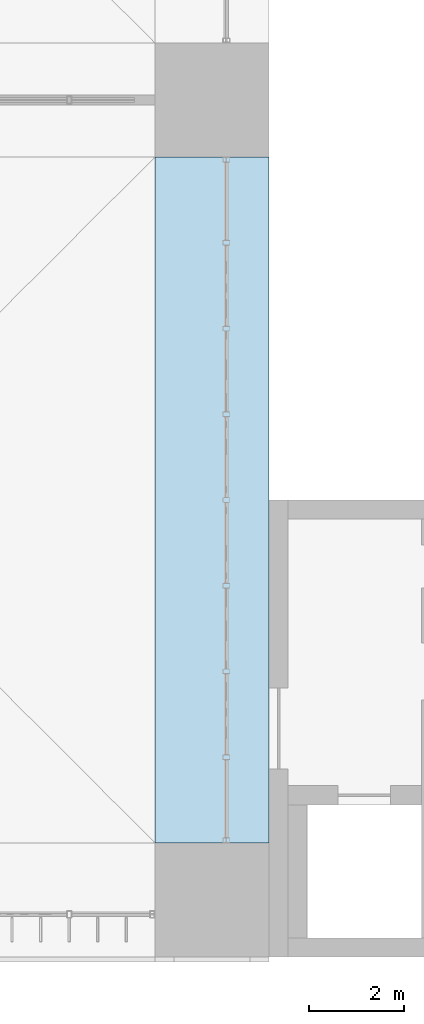
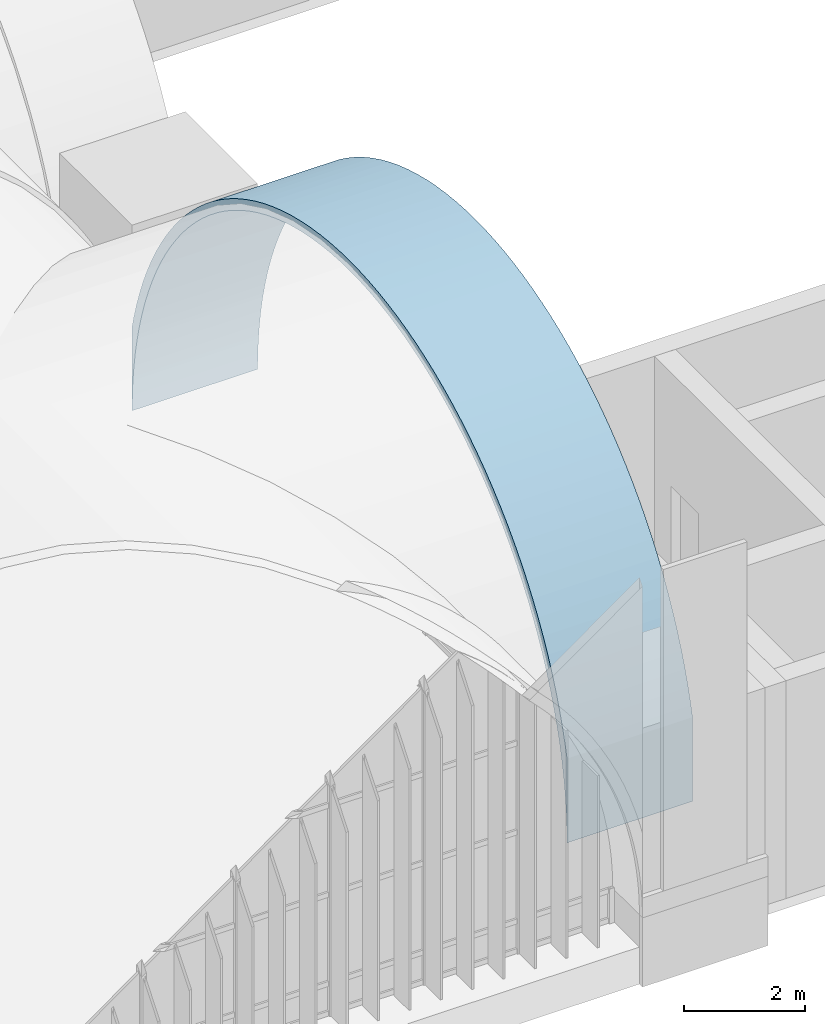
# One storey, part 143 of 169: 1 roof.
"""IFC4 building model written with IfcOpenShell, lengths in metres."""

from ifc_helpers import new_model, si_unit, direction, frame, origin, place, context, subcontext, project, spatial, polygons, material, layer, layer_set, type_object, element, save


model = new_model("IFC4")

# Units and contexts
model_context = context("Model", 3, precision=1e-05, world=origin(), true_north=direction((0.0, 1.0)))
body_context = subcontext(model_context, "Body", "Model", "MODEL_VIEW")
ifc_project = project(units=[si_unit("LENGTHUNIT", "METRE"), si_unit("AREAUNIT", "SQUARE_METRE"), si_unit("VOLUMEUNIT", "CUBIC_METRE"), si_unit("PLANEANGLEUNIT", "RADIAN"), si_unit("MASSUNIT", "GRAM", prefix="KILO")], contexts=[model_context])

# Site, building, storey
site_placement = place(None, origin())
site = spatial("IfcSite", under=ifc_project, at=site_placement, CompositionType="ELEMENT")
building_placement = place(site_placement, origin())
building = spatial("IfcBuilding", under=site, at=building_placement, Name="Verrick Yard Athletic Hall", CompositionType="ELEMENT")
storey_placement = place(building_placement, frame((0.0, 0.0, 4.39990234375)))
storey = spatial("IfcBuildingStorey", under=building, at=storey_placement, Name="L01", CompositionType="ELEMENT", Elevation=4.39990234375)

# Roof
ifc_material = material(Name="Concrete 35 MPa", Category="concrete")
ifc_layer = layer(ifc_material, 0.199951171875)
ifc_layer_set = layer_set([ifc_layer], Name="Arch rib 200")
roof_type = type_object("IfcRoofType", Name="Arch rib 200", PredefinedType="BARREL_ROOF", material=ifc_layer_set)
roof_placement = place(storey_placement, origin())
element("IfcRoof", 1, at=roof_placement, inside=storey, type_object=roof_type, Name="Vault rib X8-1", PredefinedType="BARREL_ROOF", context=body_context, shape_type="Tessellation", body=[
    polygons([(158.800048828125, 20.39990234375, 2.352294921875), (158.800048828125, 20.39990234375, 0.650146484375), (158.800048828125, 20.406982421875, 0.964111328125), (158.800048828125, 20.427490234375, 1.277587890625), (158.800048828125, 20.461669921875, 1.58984375), (158.800048828125, 20.509521484375, 1.900390625), (158.800048828125, 20.57080078125, 2.20849609375), (158.800048828125, 20.645263671875, 2.513671875), (158.800048828125, 20.733154296875, 2.815185546875), (158.800048828125, 20.834228515625, 3.112548828125), (158.800048828125, 20.947998046875, 3.405517578125), (158.800048828125, 21.07470703125, 3.693115234375), (158.800048828125, 21.21337890625, 3.974609375), (158.800048828125, 21.364501953125, 4.25), (158.800048828125, 21.527587890625, 4.518798828125), (158.800048828125, 21.7021484375, 4.77978515625), (158.800048828125, 21.887939453125, 5.033203125), (158.800048828125, 22.08447265625, 5.278076171875), (158.800048828125, 22.29150390625, 5.514404296875), (158.800048828125, 22.5087890625, 5.7412109375), (158.800048828125, 22.73583984375, 5.95849609375), (158.800048828125, 22.971923828125, 6.16552734375), (158.800048828125, 23.216796875, 6.3623046875), (158.800048828125, 23.47021484375, 6.548095703125), (158.800048828125, 23.7314453125, 6.722412109375), (158.800048828125, 24.0, 6.885498046875), (158.800048828125, 24.275390625, 7.03662109375), (158.800048828125, 24.55712890625, 7.175537109375), (158.800048828125, 24.8447265625, 7.302001953125), (158.800048828125, 25.137451171875, 7.416015625), (158.800048828125, 25.434814453125, 7.516845703125), (158.800048828125, 25.736572265625, 7.604736328125), (158.800048828125, 26.04150390625, 7.679443359375), (158.800048828125, 26.349609375, 7.74072265625), (158.800048828125, 26.66015625, 7.78857421875), (158.800048828125, 26.972412109375, 7.82275390625), (158.800048828125, 27.285888671875, 7.84326171875), (158.800048828125, 27.60009765625, 7.85009765625), (158.800048828125, 27.9140625, 7.84326171875), (158.800048828125, 28.2275390625, 7.82275390625), (158.800048828125, 28.539794921875, 7.78857421875), (158.800048828125, 28.850341796875, 7.74072265625), (158.800048828125, 29.158447265625, 7.679443359375), (158.800048828125, 29.46337890625, 7.604736328125), (158.800048828125, 29.76513671875, 7.516845703125), (158.800048828125, 30.0625, 7.416015625), (158.800048828125, 30.355224609375, 7.302001953125), (158.800048828125, 30.642822265625, 7.175537109375), (158.800048828125, 30.924560546875, 7.03662109375), (158.800048828125, 31.199951171875, 6.885498046875), (158.800048828125, 31.468505859375, 6.722412109375), (158.800048828125, 31.729736328125, 6.548095703125), (158.800048828125, 31.983154296875, 6.3623046875), (158.800048828125, 32.22802734375, 6.16552734375), (158.800048828125, 32.464111328125, 5.95849609375), (158.800048828125, 32.691162109375, 5.7412109375), (158.800048828125, 32.908447265625, 5.514404296875), (158.800048828125, 33.115478515625, 5.278076171875), (158.800048828125, 33.31201171875, 5.033203125), (158.800048828125, 33.497802734375, 4.77978515625), (158.800048828125, 33.67236328125, 4.518798828125), (158.800048828125, 33.83544921875, 4.25), (158.800048828125, 33.986572265625, 3.974609375), (158.800048828125, 34.12548828125, 3.693115234375), (158.800048828125, 34.251953125, 3.405517578125), (158.800048828125, 34.36572265625, 3.112548828125), (158.800048828125, 34.466796875, 2.815185546875), (158.800048828125, 34.5546875, 2.513671875), (158.800048828125, 34.62939453125, 2.20849609375), (158.800048828125, 34.690673828125, 1.900390625), (158.800048828125, 34.73828125, 1.58984375), (158.800048828125, 34.772705078125, 1.277587890625), (158.800048828125, 34.793212890625, 0.964111328125), (158.800048828125, 34.800048828125, 0.650146484375), (158.800048828125, 34.800048828125, 2.352294921875), (158.800048828125, 34.747802734375, 2.5654296875), (158.800048828125, 34.657470703125, 2.875244140625), (158.800048828125, 34.5537109375, 3.180908203125), (158.800048828125, 34.436767578125, 3.48193359375), (158.800048828125, 34.306640625, 3.777587890625), (158.800048828125, 34.163818359375, 4.06689453125), (158.800048828125, 34.008544921875, 4.35009765625), (158.800048828125, 33.841064453125, 4.6259765625), (158.800048828125, 33.66162109375, 4.89453125), (158.800048828125, 33.470703125, 5.15478515625), (158.800048828125, 33.268798828125, 5.40673828125), (158.800048828125, 33.055908203125, 5.6494140625), (158.800048828125, 32.83251953125, 5.8828125), (158.800048828125, 32.599365234375, 6.10595703125), (158.800048828125, 32.356689453125, 6.31884765625), (158.800048828125, 32.104736328125, 6.52099609375), (158.800048828125, 31.844482421875, 6.7119140625), (158.800048828125, 31.575927734375, 6.89111328125), (158.800048828125, 31.300048828125, 7.05859375), (158.800048828125, 31.016845703125, 7.214111328125), (158.800048828125, 30.727294921875, 7.356689453125), (158.800048828125, 30.431884765625, 7.48681640625), (158.800048828125, 30.130859375, 7.603759765625), (158.800048828125, 29.8251953125, 7.70751953125), (158.800048828125, 29.515380859375, 7.798095703125), (158.800048828125, 29.20166015625, 7.874755859375), (158.800048828125, 28.885009765625, 7.937744140625), (158.800048828125, 28.56591796875, 7.98681640625), (158.800048828125, 28.2451171875, 8.02197265625), (158.800048828125, 27.9228515625, 8.043212890625), (158.800048828125, 27.60009765625, 8.050048828125), (158.800048828125, 27.277099609375, 8.043212890625), (158.800048828125, 26.955078125, 8.02197265625), (158.800048828125, 26.634033203125, 7.98681640625), (158.800048828125, 26.31494140625, 7.937744140625), (158.800048828125, 25.998291015625, 7.874755859375), (158.800048828125, 25.684814453125, 7.798095703125), (158.800048828125, 25.374755859375, 7.70751953125), (158.800048828125, 25.069091796875, 7.603759765625), (158.800048828125, 24.76806640625, 7.48681640625), (158.800048828125, 24.47265625, 7.356689453125), (158.800048828125, 24.18310546875, 7.214111328125), (158.800048828125, 23.89990234375, 7.05859375), (158.800048828125, 23.6240234375, 6.89111328125), (158.800048828125, 23.35546875, 6.7119140625), (158.800048828125, 23.09521484375, 6.52099609375), (158.800048828125, 22.843505859375, 6.31884765625), (158.800048828125, 22.6005859375, 6.10595703125), (158.800048828125, 22.367431640625, 5.8828125), (158.800048828125, 22.14404296875, 5.6494140625), (158.800048828125, 21.931396484375, 5.40673828125), (158.800048828125, 21.729248046875, 5.15478515625), (158.800048828125, 21.538330078125, 4.89453125), (158.800048828125, 21.35888671875, 4.6259765625), (158.800048828125, 21.19140625, 4.35009765625), (158.800048828125, 21.0361328125, 4.06689453125), (158.800048828125, 20.893310546875, 3.777587890625), (158.800048828125, 20.76318359375, 3.48193359375), (158.800048828125, 20.646240234375, 3.180908203125), (158.800048828125, 20.54248046875, 2.875244140625), (158.800048828125, 20.4521484375, 2.5654296875), (156.39990234375, 20.39990234375, 2.352294921875), (156.39990234375, 20.39990234375, 0.650146484375), (156.39990234375, 20.406982421875, 0.964111328125), (156.39990234375, 20.427490234375, 1.277587890625), (156.39990234375, 20.461669921875, 1.58984375), (156.39990234375, 20.509521484375, 1.900390625), (156.39990234375, 20.57080078125, 2.20849609375), (156.39990234375, 20.645263671875, 2.513671875), (156.39990234375, 20.733154296875, 2.815185546875), (156.39990234375, 20.834228515625, 3.112548828125), (156.39990234375, 20.947998046875, 3.405517578125), (156.39990234375, 21.07470703125, 3.693115234375), (156.39990234375, 21.21337890625, 3.974609375), (156.39990234375, 21.364501953125, 4.25), (156.39990234375, 21.527587890625, 4.518798828125), (156.39990234375, 21.7021484375, 4.77978515625), (156.39990234375, 21.887939453125, 5.033203125), (156.39990234375, 22.08447265625, 5.278076171875), (156.39990234375, 22.29150390625, 5.514404296875), (156.39990234375, 22.5087890625, 5.7412109375), (156.39990234375, 22.73583984375, 5.95849609375), (156.39990234375, 22.971923828125, 6.16552734375), (156.39990234375, 23.216796875, 6.3623046875), (156.39990234375, 23.47021484375, 6.548095703125), (156.39990234375, 23.7314453125, 6.722412109375), (156.39990234375, 24.0, 6.885498046875), (156.39990234375, 24.275390625, 7.03662109375), (156.39990234375, 24.55712890625, 7.175537109375), (156.39990234375, 24.8447265625, 7.302001953125), (156.39990234375, 25.137451171875, 7.416015625), (156.39990234375, 25.434814453125, 7.516845703125), (156.39990234375, 25.736572265625, 7.604736328125), (156.39990234375, 26.04150390625, 7.679443359375), (156.39990234375, 26.349609375, 7.74072265625), (156.39990234375, 26.66015625, 7.78857421875), (156.39990234375, 26.972412109375, 7.82275390625), (156.39990234375, 27.285888671875, 7.84326171875), (156.39990234375, 27.60009765625, 7.85009765625), (156.39990234375, 27.9140625, 7.84326171875), (156.39990234375, 28.2275390625, 7.82275390625), (156.39990234375, 28.539794921875, 7.78857421875), (156.39990234375, 28.850341796875, 7.74072265625), (156.39990234375, 29.158447265625, 7.679443359375), (156.39990234375, 29.46337890625, 7.604736328125), (156.39990234375, 29.76513671875, 7.516845703125), (156.39990234375, 30.0625, 7.416015625), (156.39990234375, 30.355224609375, 7.302001953125), (156.39990234375, 30.642822265625, 7.175537109375), (156.39990234375, 30.924560546875, 7.03662109375), (156.39990234375, 31.199951171875, 6.885498046875), (156.39990234375, 31.468505859375, 6.722412109375), (156.39990234375, 31.729736328125, 6.548095703125), (156.39990234375, 31.983154296875, 6.3623046875), (156.39990234375, 32.22802734375, 6.16552734375), (156.39990234375, 32.464111328125, 5.95849609375), (156.39990234375, 32.691162109375, 5.7412109375), (156.39990234375, 32.908447265625, 5.514404296875), (156.39990234375, 33.115478515625, 5.278076171875), (156.39990234375, 33.31201171875, 5.033203125), (156.39990234375, 33.497802734375, 4.77978515625), (156.39990234375, 33.67236328125, 4.518798828125), (156.39990234375, 33.83544921875, 4.25), (156.39990234375, 33.986572265625, 3.974609375), (156.39990234375, 34.12548828125, 3.693115234375), (156.39990234375, 34.251953125, 3.405517578125), (156.39990234375, 34.36572265625, 3.112548828125), (156.39990234375, 34.466796875, 2.815185546875), (156.39990234375, 34.5546875, 2.513671875), (156.39990234375, 34.62939453125, 2.20849609375), (156.39990234375, 34.690673828125, 1.900390625), (156.39990234375, 34.73828125, 1.58984375), (156.39990234375, 34.772705078125, 1.277587890625), (156.39990234375, 34.793212890625, 0.964111328125), (156.39990234375, 34.800048828125, 0.650146484375), (156.39990234375, 34.800048828125, 2.352294921875), (156.39990234375, 34.747802734375, 2.5654296875), (156.39990234375, 34.657470703125, 2.875244140625), (156.39990234375, 34.5537109375, 3.180908203125), (156.39990234375, 34.436767578125, 3.48193359375), (156.39990234375, 34.306640625, 3.777587890625), (156.39990234375, 34.163818359375, 4.06689453125), (156.39990234375, 34.008544921875, 4.35009765625), (156.39990234375, 33.841064453125, 4.6259765625), (156.39990234375, 33.66162109375, 4.89453125), (156.39990234375, 33.470703125, 5.15478515625), (156.39990234375, 33.268798828125, 5.40673828125), (156.39990234375, 33.055908203125, 5.6494140625), (156.39990234375, 32.83251953125, 5.8828125), (156.39990234375, 32.599365234375, 6.10595703125), (156.39990234375, 32.356689453125, 6.31884765625), (156.39990234375, 32.104736328125, 6.52099609375), (156.39990234375, 31.844482421875, 6.7119140625), (156.39990234375, 31.575927734375, 6.89111328125), (156.39990234375, 31.300048828125, 7.05859375), (156.39990234375, 31.016845703125, 7.214111328125), (156.39990234375, 30.727294921875, 7.356689453125), (156.39990234375, 30.431884765625, 7.48681640625), (156.39990234375, 30.130859375, 7.603759765625), (156.39990234375, 29.8251953125, 7.70751953125), (156.39990234375, 29.515380859375, 7.798095703125), (156.39990234375, 29.20166015625, 7.874755859375), (156.39990234375, 28.885009765625, 7.937744140625), (156.39990234375, 28.56591796875, 7.98681640625), (156.39990234375, 28.2451171875, 8.02197265625), (156.39990234375, 27.9228515625, 8.043212890625), (156.39990234375, 27.60009765625, 8.050048828125), (156.39990234375, 27.277099609375, 8.043212890625), (156.39990234375, 26.955078125, 8.02197265625), (156.39990234375, 26.634033203125, 7.98681640625), (156.39990234375, 26.31494140625, 7.937744140625), (156.39990234375, 25.998291015625, 7.874755859375), (156.39990234375, 25.684814453125, 7.798095703125), (156.39990234375, 25.374755859375, 7.70751953125), (156.39990234375, 25.069091796875, 7.603759765625), (156.39990234375, 24.76806640625, 7.48681640625), (156.39990234375, 24.47265625, 7.356689453125), (156.39990234375, 24.18310546875, 7.214111328125), (156.39990234375, 23.89990234375, 7.05859375), (156.39990234375, 23.6240234375, 6.89111328125), (156.39990234375, 23.35546875, 6.7119140625), (156.39990234375, 23.09521484375, 6.52099609375), (156.39990234375, 22.843505859375, 6.31884765625), (156.39990234375, 22.6005859375, 6.10595703125), (156.39990234375, 22.367431640625, 5.8828125), (156.39990234375, 22.14404296875, 5.6494140625), (156.39990234375, 21.931396484375, 5.40673828125), (156.39990234375, 21.729248046875, 5.15478515625), (156.39990234375, 21.538330078125, 4.89453125), (156.39990234375, 21.35888671875, 4.6259765625), (156.39990234375, 21.19140625, 4.35009765625), (156.39990234375, 21.0361328125, 4.06689453125), (156.39990234375, 20.893310546875, 3.777587890625), (156.39990234375, 20.76318359375, 3.48193359375), (156.39990234375, 20.646240234375, 3.180908203125), (156.39990234375, 20.54248046875, 2.875244140625), (156.39990234375, 20.4521484375, 2.5654296875)], [[[1, 2, 3]], [[137, 139, 138]], [[136, 1, 3]], [[272, 139, 137]], [[136, 3, 4]], [[272, 140, 139]], [[136, 4, 5]], [[272, 141, 140]], [[136, 5, 6]], [[272, 142, 141]], [[136, 6, 7]], [[272, 143, 142]], [[136, 7, 8]], [[272, 144, 143]], [[136, 8, 9]], [[272, 145, 144]], [[136, 9, 10]], [[272, 146, 145]], [[136, 10, 11]], [[272, 147, 146]], [[136, 11, 12]], [[272, 148, 147]], [[136, 12, 13]], [[272, 149, 148]], [[73, 74, 75]], [[209, 211, 210]], [[72, 73, 75]], [[208, 211, 209]], [[71, 72, 75]], [[207, 211, 208]], [[70, 71, 75]], [[206, 211, 207]], [[69, 70, 75]], [[205, 211, 206]], [[68, 69, 75]], [[204, 211, 205]], [[67, 68, 75]], [[203, 211, 204]], [[66, 67, 75]], [[202, 211, 203]], [[65, 66, 75]], [[201, 211, 202]], [[64, 65, 75]], [[200, 211, 201]], [[63, 64, 75]], [[199, 211, 200]], [[63, 75, 76]], [[199, 212, 211]], [[63, 76, 77]], [[199, 213, 212]], [[62, 63, 77]], [[198, 213, 199]], [[62, 77, 78]], [[198, 214, 213]], [[61, 62, 78]], [[197, 214, 198]], [[61, 78, 79]], [[197, 215, 214]], [[60, 61, 79]], [[196, 215, 197]], [[60, 79, 80]], [[196, 216, 215]], [[59, 60, 80]], [[195, 216, 196]], [[59, 80, 81]], [[195, 217, 216]], [[58, 59, 81]], [[194, 217, 195]], [[58, 81, 82]], [[194, 218, 217]], [[57, 58, 82]], [[193, 218, 194]], [[57, 82, 83]], [[193, 219, 218]], [[56, 57, 83]], [[192, 219, 193]], [[56, 83, 84]], [[192, 220, 219]], [[55, 56, 84]], [[191, 220, 192]], [[55, 84, 85]], [[191, 221, 220]], [[54, 55, 85]], [[190, 221, 191]], [[54, 85, 86]], [[190, 222, 221]], [[53, 54, 86]], [[189, 222, 190]], [[53, 86, 87]], [[189, 223, 222]], [[52, 53, 87]], [[188, 223, 189]], [[52, 87, 88]], [[188, 224, 223]], [[51, 52, 88]], [[187, 224, 188]], [[51, 88, 89]], [[187, 225, 224]], [[50, 51, 89]], [[186, 225, 187]], [[50, 89, 90]], [[186, 226, 225]], [[49, 50, 90]], [[185, 226, 186]], [[49, 90, 91]], [[185, 227, 226]], [[48, 49, 91]], [[184, 227, 185]], [[48, 91, 92]], [[184, 228, 227]], [[47, 48, 92]], [[183, 228, 184]], [[47, 92, 93]], [[183, 229, 228]], [[46, 47, 93]], [[182, 229, 183]], [[46, 93, 94]], [[182, 230, 229]], [[45, 46, 94]], [[181, 230, 182]], [[45, 94, 95]], [[181, 231, 230]], [[44, 45, 95]], [[180, 231, 181]], [[44, 95, 96]], [[180, 232, 231]], [[43, 44, 96]], [[179, 232, 180]], [[43, 96, 97]], [[179, 233, 232]], [[42, 43, 97]], [[178, 233, 179]], [[42, 97, 98]], [[178, 234, 233]], [[41, 42, 98]], [[177, 234, 178]], [[41, 98, 99]], [[177, 235, 234]], [[40, 41, 99]], [[176, 235, 177]], [[40, 99, 100]], [[176, 236, 235]], [[39, 40, 100]], [[175, 236, 176]], [[39, 100, 101]], [[175, 237, 236]], [[38, 39, 101]], [[174, 237, 175]], [[38, 101, 102]], [[174, 238, 237]], [[37, 38, 102]], [[173, 238, 174]], [[37, 102, 103]], [[173, 239, 238]], [[36, 37, 103]], [[172, 239, 173]], [[36, 103, 104]], [[172, 240, 239]], [[35, 36, 104]], [[171, 240, 172]], [[35, 104, 105]], [[171, 241, 240]], [[34, 35, 105]], [[170, 241, 171]], [[34, 105, 106]], [[170, 242, 241]], [[33, 34, 106]], [[169, 242, 170]], [[33, 106, 107]], [[169, 243, 242]], [[32, 33, 107]], [[168, 243, 169]], [[32, 107, 108]], [[168, 244, 243]], [[31, 32, 108]], [[167, 244, 168]], [[31, 108, 109]], [[167, 245, 244]], [[30, 31, 109]], [[166, 245, 167]], [[30, 109, 110]], [[166, 246, 245]], [[29, 30, 110]], [[165, 246, 166]], [[29, 110, 111]], [[165, 247, 246]], [[28, 29, 111]], [[164, 247, 165]], [[28, 111, 112]], [[164, 248, 247]], [[27, 28, 112]], [[163, 248, 164]], [[27, 112, 113]], [[163, 249, 248]], [[26, 27, 113]], [[162, 249, 163]], [[26, 113, 114]], [[162, 250, 249]], [[25, 26, 114]], [[161, 250, 162]], [[25, 114, 115]], [[161, 251, 250]], [[24, 25, 115]], [[160, 251, 161]], [[24, 115, 116]], [[160, 252, 251]], [[23, 24, 116]], [[159, 252, 160]], [[23, 116, 117]], [[159, 253, 252]], [[22, 23, 117]], [[158, 253, 159]], [[22, 117, 118]], [[158, 254, 253]], [[21, 22, 118]], [[157, 254, 158]], [[21, 118, 119]], [[157, 255, 254]], [[20, 21, 119]], [[156, 255, 157]], [[20, 119, 120]], [[156, 256, 255]], [[19, 20, 120]], [[155, 256, 156]], [[19, 120, 121]], [[155, 257, 256]], [[18, 19, 121]], [[154, 257, 155]], [[18, 121, 122]], [[154, 258, 257]], [[17, 18, 122]], [[153, 258, 154]], [[17, 122, 123]], [[153, 259, 258]], [[16, 17, 123]], [[152, 259, 153]], [[16, 123, 124]], [[152, 260, 259]], [[15, 16, 124]], [[151, 260, 152]], [[15, 124, 125]], [[151, 261, 260]], [[14, 15, 125]], [[150, 261, 151]], [[14, 125, 126]], [[150, 262, 261]], [[13, 14, 126]], [[149, 262, 150]], [[136, 13, 126]], [[272, 262, 149]], [[136, 126, 127]], [[272, 263, 262]], [[136, 127, 128]], [[272, 264, 263]], [[136, 128, 129]], [[272, 265, 264]], [[136, 129, 130]], [[272, 266, 265]], [[136, 130, 131]], [[272, 267, 266]], [[136, 131, 132]], [[272, 268, 267]], [[136, 132, 133]], [[272, 269, 268]], [[136, 133, 134]], [[272, 270, 269]], [[134, 135, 136]], [[270, 272, 271]], [[1, 138, 2]], [[1, 137, 138]], [[2, 139, 3]], [[2, 138, 139]], [[3, 140, 4]], [[3, 139, 140]], [[4, 141, 5]], [[4, 140, 141]], [[5, 142, 6]], [[5, 141, 142]], [[6, 143, 7]], [[6, 142, 143]], [[7, 144, 8]], [[7, 143, 144]], [[8, 145, 9]], [[8, 144, 145]], [[9, 146, 10]], [[9, 145, 146]], [[10, 147, 11]], [[10, 146, 147]], [[11, 148, 12]], [[11, 147, 148]], [[12, 149, 13]], [[12, 148, 149]], [[13, 150, 14]], [[13, 149, 150]], [[14, 151, 15]], [[14, 150, 151]], [[15, 152, 16]], [[15, 151, 152]], [[16, 153, 17]], [[16, 152, 153]], [[17, 154, 18]], [[17, 153, 154]], [[18, 155, 19]], [[18, 154, 155]], [[19, 156, 20]], [[19, 155, 156]], [[20, 157, 21]], [[20, 156, 157]], [[21, 158, 22]], [[21, 157, 158]], [[22, 159, 23]], [[22, 158, 159]], [[23, 160, 24]], [[23, 159, 160]], [[24, 161, 25]], [[24, 160, 161]], [[25, 162, 26]], [[25, 161, 162]], [[26, 163, 27]], [[26, 162, 163]], [[27, 164, 28]], [[27, 163, 164]], [[28, 165, 29]], [[28, 164, 165]], [[29, 166, 30]], [[29, 165, 166]], [[30, 167, 31]], [[30, 166, 167]], [[31, 168, 32]], [[31, 167, 168]], [[32, 169, 33]], [[32, 168, 169]], [[33, 170, 34]], [[33, 169, 170]], [[34, 171, 35]], [[34, 170, 171]], [[35, 172, 36]], [[35, 171, 172]], [[36, 173, 37]], [[36, 172, 173]], [[37, 174, 38]], [[37, 173, 174]], [[38, 175, 39]], [[38, 174, 175]], [[39, 176, 40]], [[39, 175, 176]], [[40, 177, 41]], [[40, 176, 177]], [[41, 178, 42]], [[41, 177, 178]], [[42, 179, 43]], [[42, 178, 179]], [[43, 180, 44]], [[43, 179, 180]], [[44, 181, 45]], [[44, 180, 181]], [[45, 182, 46]], [[45, 181, 182]], [[46, 183, 47]], [[46, 182, 183]], [[47, 184, 48]], [[47, 183, 184]], [[48, 185, 49]], [[48, 184, 185]], [[49, 186, 50]], [[49, 185, 186]], [[50, 187, 51]], [[50, 186, 187]], [[51, 188, 52]], [[51, 187, 188]], [[52, 189, 53]], [[52, 188, 189]], [[53, 190, 54]], [[53, 189, 190]], [[54, 191, 55]], [[54, 190, 191]], [[55, 192, 56]], [[55, 191, 192]], [[56, 193, 57]], [[56, 192, 193]], [[57, 194, 58]], [[57, 193, 194]], [[58, 195, 59]], [[58, 194, 195]], [[59, 196, 60]], [[59, 195, 196]], [[60, 197, 61]], [[60, 196, 197]], [[61, 198, 62]], [[61, 197, 198]], [[62, 199, 63]], [[62, 198, 199]], [[63, 200, 64]], [[63, 199, 200]], [[64, 201, 65]], [[64, 200, 201]], [[65, 202, 66]], [[65, 201, 202]], [[66, 203, 67]], [[66, 202, 203]], [[67, 204, 68]], [[67, 203, 204]], [[68, 205, 69]], [[68, 204, 205]], [[69, 206, 70]], [[69, 205, 206]], [[70, 207, 71]], [[70, 206, 207]], [[71, 208, 72]], [[71, 207, 208]], [[72, 209, 73]], [[72, 208, 209]], [[73, 210, 74]], [[73, 209, 210]], [[74, 211, 75]], [[74, 210, 211]], [[75, 212, 76]], [[75, 211, 212]], [[76, 213, 77]], [[76, 212, 213]], [[77, 214, 78]], [[77, 213, 214]], [[78, 215, 79]], [[78, 214, 215]], [[79, 216, 80]], [[79, 215, 216]], [[80, 217, 81]], [[80, 216, 217]], [[81, 218, 82]], [[81, 217, 218]], [[82, 219, 83]], [[82, 218, 219]], [[83, 220, 84]], [[83, 219, 220]], [[84, 221, 85]], [[84, 220, 221]], [[85, 222, 86]], [[85, 221, 222]], [[86, 223, 87]], [[86, 222, 223]], [[87, 224, 88]], [[87, 223, 224]], [[88, 225, 89]], [[88, 224, 225]], [[89, 226, 90]], [[89, 225, 226]], [[90, 227, 91]], [[90, 226, 227]], [[91, 228, 92]], [[91, 227, 228]], [[92, 229, 93]], [[92, 228, 229]], [[93, 230, 94]], [[93, 229, 230]], [[94, 231, 95]], [[94, 230, 231]], [[95, 232, 96]], [[95, 231, 232]], [[96, 233, 97]], [[96, 232, 233]], [[97, 234, 98]], [[97, 233, 234]], [[98, 235, 99]], [[98, 234, 235]], [[99, 236, 100]], [[99, 235, 236]], [[100, 237, 101]], [[100, 236, 237]], [[101, 238, 102]], [[101, 237, 238]], [[102, 239, 103]], [[102, 238, 239]], [[103, 240, 104]], [[103, 239, 240]], [[104, 241, 105]], [[104, 240, 241]], [[105, 242, 106]], [[105, 241, 242]], [[106, 243, 107]], [[106, 242, 243]], [[107, 244, 108]], [[107, 243, 244]], [[108, 245, 109]], [[108, 244, 245]], [[109, 246, 110]], [[109, 245, 246]], [[110, 247, 111]], [[110, 246, 247]], [[111, 248, 112]], [[111, 247, 248]], [[112, 249, 113]], [[112, 248, 249]], [[113, 250, 114]], [[113, 249, 250]], [[114, 251, 115]], [[114, 250, 251]], [[115, 252, 116]], [[115, 251, 252]], [[116, 253, 117]], [[116, 252, 253]], [[117, 254, 118]], [[117, 253, 254]], [[118, 255, 119]], [[118, 254, 255]], [[119, 256, 120]], [[119, 255, 256]], [[120, 257, 121]], [[120, 256, 257]], [[121, 258, 122]], [[121, 257, 258]], [[122, 259, 123]], [[122, 258, 259]], [[123, 260, 124]], [[123, 259, 260]], [[124, 261, 125]], [[124, 260, 261]], [[125, 262, 126]], [[125, 261, 262]], [[126, 263, 127]], [[126, 262, 263]], [[127, 264, 128]], [[127, 263, 264]], [[128, 265, 129]], [[128, 264, 265]], [[129, 266, 130]], [[129, 265, 266]], [[130, 267, 131]], [[130, 266, 267]], [[131, 268, 132]], [[131, 267, 268]], [[132, 269, 133]], [[132, 268, 269]], [[133, 270, 134]], [[133, 269, 270]], [[134, 271, 135]], [[134, 270, 271]], [[135, 272, 136]], [[135, 271, 272]], [[136, 137, 1]], [[136, 272, 137]]], closed=True),
])

save(model, "model.ifc")
